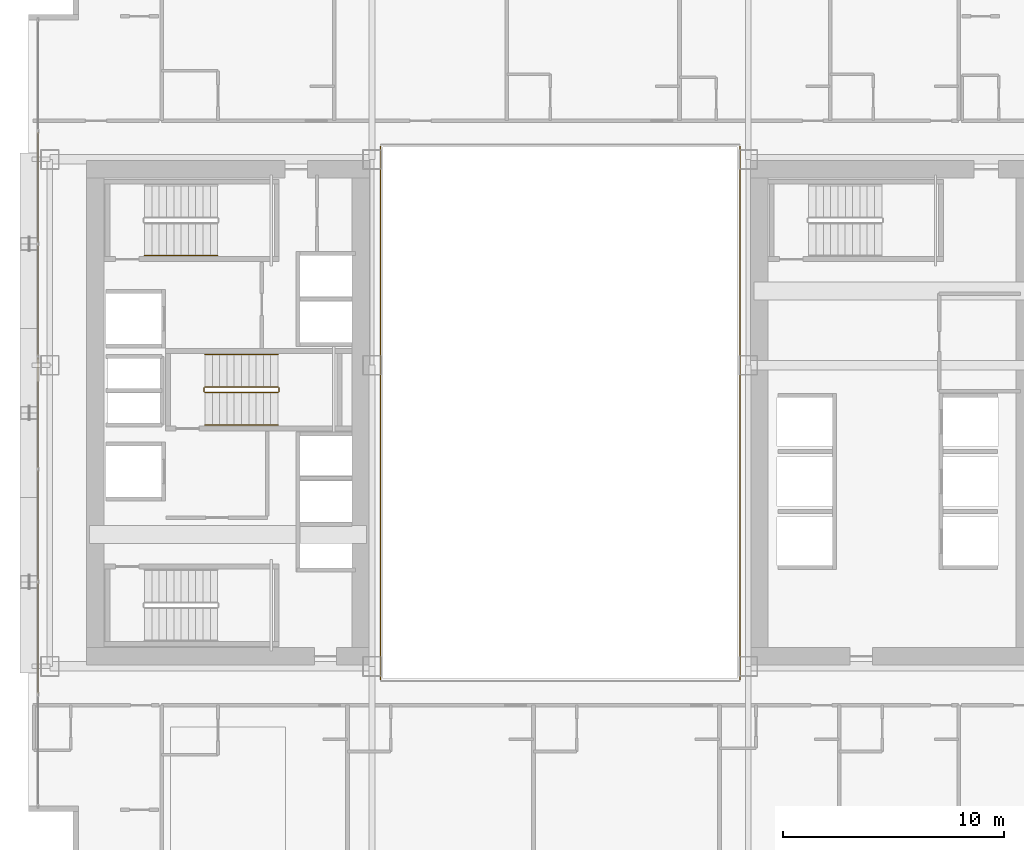
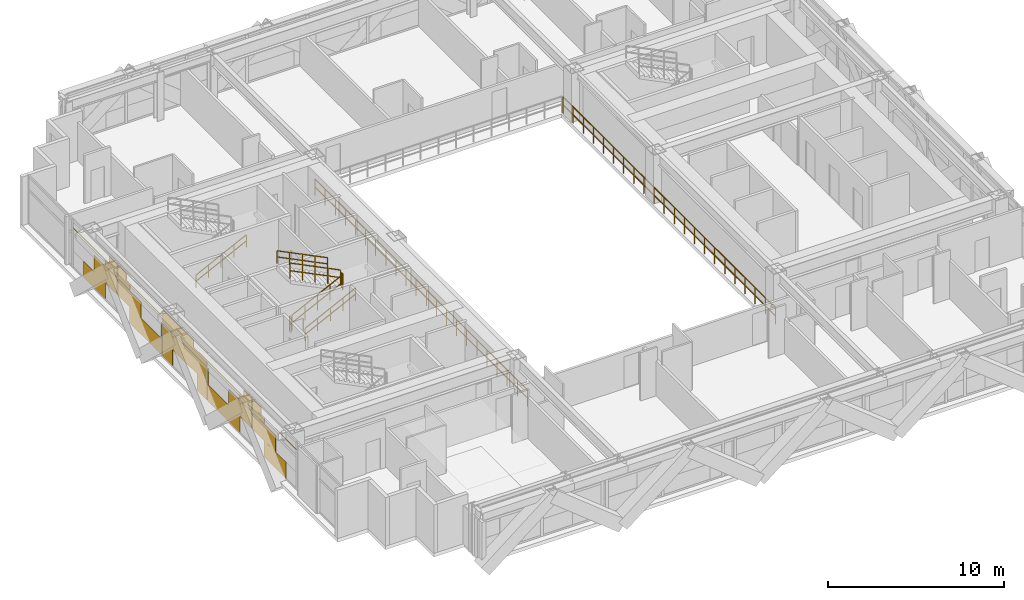
# One storey, part 33 of 35: 9 railings, 1 covering.
"""IFC4 building model written with IfcOpenShell, lengths in metres."""

from ifc_helpers import new_model, si_unit, direction, frame, origin, origin_2d, place, context, subcontext, project, spatial, rectangle, extrude, material, layer, layer_set, type_object, element, save


model = new_model("IFC4")

# Units and contexts
model_context = context("Model", 3, precision=1e-05, world=origin(), true_north=direction((0.0, 1.0)))
body_context = subcontext(model_context, "Body", "Model", "MODEL_VIEW")
ifc_project = project(units=[si_unit("LENGTHUNIT", "METRE"), si_unit("AREAUNIT", "SQUARE_METRE"), si_unit("VOLUMEUNIT", "CUBIC_METRE"), si_unit("PLANEANGLEUNIT", "RADIAN"), si_unit("MASSUNIT", "GRAM", prefix="KILO")], contexts=[model_context])

# Site, building, storey
site_placement = place(None, origin())
site = spatial("IfcSite", under=ifc_project, at=site_placement, CompositionType="ELEMENT")
building_placement = place(site_placement, origin())
building = spatial("IfcBuilding", under=site, at=building_placement, Name="Ocotamira Hotel", CompositionType="ELEMENT")
storey_placement = place(building_placement, frame((0.0, 0.0, 56.39990234375)))
storey = spatial("IfcBuildingStorey", under=building, at=storey_placement, Name="L13", CompositionType="ELEMENT", Elevation=56.39990234375)

# Covering
ifc_material_1 = material(Name="Insulated pale-metal aluminium spandrel panel", Category="aluminium")
ifc_layer = layer(ifc_material_1, 0.044921875)
ifc_layer_set = layer_set([ifc_layer], Name="Insulated pale-metal aluminium spandrel panel")
covering_type = type_object("IfcCoveringType", Name="COV-INFILL-45", PredefinedType="CLADDING", material=ifc_layer_set)
covering_placement = place(storey_placement, origin())
element("IfcCovering", 1, at=covering_placement, inside=storey, type_object=covering_type, Name="L13 Curtain Wall Infill CW-2 CW-L13-W", PredefinedType="CLADDING", context=body_context, shape_type="SweptSolid", body=[
    extrude(rectangle(XDim=2.49658203125, YDim=0.044921875, at=origin_2d()), frame((8.419921875, 15.752685546875, 0.07568359375), z_axis=(0.0, 0.0, 1.0), x_axis=(0.0, 1.0, 0.0)), (0.0, 0.0, 1.0), 1.11767578125),
    extrude(rectangle(XDim=2.640625, YDim=0.044921875, at=origin_2d()), frame((8.419921875, 17.010498046875, 1.1943359375), z_axis=(0.0, 0.0, 1.0), x_axis=(0.0, 1.0, 0.0)), (0.0, 0.0, 1.0), 1.11767578125),
    extrude(rectangle(XDim=5.004638671875, YDim=0.044921875, at=origin_2d()), frame((8.419921875, 15.82861328125, 2.756103515625), z_axis=(0.0, 0.0, 1.0), x_axis=(0.0, 1.0, 0.0)), (0.0, 0.0, 1.0), 0.033203125),
    extrude(rectangle(XDim=1.375, YDim=0.044921875, at=origin_2d()), frame((8.419921875, 17.643310546875, 2.38818359375), z_axis=(0.0, 0.0, 1.0), x_axis=(0.0, 1.0, 0.0)), (0.0, 0.0, 1.0), 0.366943359375),
    extrude(rectangle(XDim=0.948486328125, YDim=0.044921875, at=origin_2d()), frame((8.419921875, 17.856689453125, 2.79052734375), z_axis=(0.0, 0.0, 1.0), x_axis=(0.0, 1.0, 0.0)), (0.0, 0.0, 1.0), 0.484130859375),
    extrude(rectangle(XDim=2.631103515625, YDim=0.044921875, at=origin_2d()), frame((8.419921875, 19.727294921875, 1.1943359375), z_axis=(0.0, 0.0, 1.0), x_axis=(0.0, 1.0, 0.0)), (0.0, 0.0, 1.0), 1.11767578125),
    extrude(rectangle(XDim=3.684326171875, YDim=0.044921875, at=origin_2d()), frame((8.419921875, 21.574462890625, 0.07568359375), z_axis=(0.0, 0.0, 1.0), x_axis=(0.0, 1.0, 0.0)), (0.0, 0.0, 1.0), 1.11767578125),
    extrude(rectangle(XDim=0.093017578125, YDim=0.044921875, at=origin_2d()), frame((8.419921875, 23.3701171875, 1.1943359375), z_axis=(0.0, 0.0, 1.0), x_axis=(0.0, 1.0, 0.0)), (0.0, 0.0, 1.0), 1.11767578125),
    extrude(rectangle(XDim=1.365478515625, YDim=0.044921875, at=origin_2d()), frame((8.419921875, 19.094482421875, 2.38818359375), z_axis=(0.0, 0.0, 1.0), x_axis=(0.0, 1.0, 0.0)), (0.0, 0.0, 1.0), 0.366943359375),
    extrude(rectangle(XDim=5.004638671875, YDim=0.044921875, at=origin_2d()), frame((8.419921875, 20.914306640625, 2.756103515625), z_axis=(0.0, 0.0, 1.0), x_axis=(0.0, 1.0, 0.0)), (0.0, 0.0, 1.0), 0.033203125),
    extrude(rectangle(XDim=0.93896484375, YDim=0.044921875, at=origin_2d()), frame((8.419921875, 18.88134765625, 2.79052734375), z_axis=(0.0, 0.0, 1.0), x_axis=(0.0, 1.0, 0.0)), (0.0, 0.0, 1.0), 0.484130859375),
    extrude(rectangle(XDim=1.13671875, YDim=0.044921875, at=origin_2d()), frame((8.419921875, 24.06591796875, 0.07568359375), z_axis=(0.0, 0.0, 1.0), x_axis=(0.0, 1.0, 0.0)), (0.0, 0.0, 1.0), 1.11767578125),
    extrude(rectangle(XDim=5.004638671875, YDim=0.044921875, at=origin_2d()), frame((8.419921875, 26.0, 1.1943359375), z_axis=(0.0, 0.0, 1.0), x_axis=(0.0, 1.0, 0.0)), (0.0, 0.0, 1.0), 1.11767578125),
    extrude(rectangle(XDim=1.13671875, YDim=0.044921875, at=origin_2d()), frame((8.419921875, 27.93408203125, 0.07568359375), z_axis=(0.0, 0.0, 1.0), x_axis=(0.0, 1.0, 0.0)), (0.0, 0.0, 1.0), 1.11767578125),
    extrude(rectangle(XDim=5.004638671875, YDim=0.044921875, at=origin_2d()), frame((8.419921875, 26.0, 2.387939453125), z_axis=(0.0, 0.0, 1.0), x_axis=(0.0, 1.0, 0.0)), (0.0, 0.0, 1.0), 0.4013671875),
    extrude(rectangle(XDim=3.486572265625, YDim=0.044921875, at=origin_2d()), frame((8.419921875, 26.759033203125, 2.79052734375), z_axis=(0.0, 0.0, 1.0), x_axis=(0.0, 1.0, 0.0)), (0.0, 0.0, 1.0), 0.484130859375),
    extrude(rectangle(XDim=3.684326171875, YDim=0.044921875, at=origin_2d()), frame((8.419921875, 30.425537109375, 0.07568359375), z_axis=(0.0, 0.0, 1.0), x_axis=(0.0, 1.0, 0.0)), (0.0, 0.0, 1.0), 1.11767578125),
    extrude(rectangle(XDim=0.093017578125, YDim=0.044921875, at=origin_2d()), frame((8.419921875, 28.6298828125, 1.1943359375), z_axis=(0.0, 0.0, 1.0), x_axis=(0.0, 1.0, 0.0)), (0.0, 0.0, 1.0), 1.11767578125),
    extrude(rectangle(XDim=2.631103515625, YDim=0.044921875, at=origin_2d()), frame((8.419921875, 32.272705078125, 1.1943359375), z_axis=(0.0, 0.0, 1.0), x_axis=(0.0, 1.0, 0.0)), (0.0, 0.0, 1.0), 1.11767578125),
    extrude(rectangle(XDim=5.004638671875, YDim=0.044921875, at=origin_2d()), frame((8.419921875, 31.085693359375, 2.756103515625), z_axis=(0.0, 0.0, 1.0), x_axis=(0.0, 1.0, 0.0)), (0.0, 0.0, 1.0), 0.033203125),
    extrude(rectangle(XDim=1.365478515625, YDim=0.044921875, at=origin_2d()), frame((8.419921875, 32.905517578125, 2.38818359375), z_axis=(0.0, 0.0, 1.0), x_axis=(0.0, 1.0, 0.0)), (0.0, 0.0, 1.0), 0.366943359375),
    extrude(rectangle(XDim=0.93896484375, YDim=0.044921875, at=origin_2d()), frame((8.419921875, 33.11865234375, 2.79052734375), z_axis=(0.0, 0.0, 1.0), x_axis=(0.0, 1.0, 0.0)), (0.0, 0.0, 1.0), 0.484130859375),
    extrude(rectangle(XDim=2.640625, YDim=0.044921875, at=origin_2d()), frame((8.419921875, 34.989501953125, 1.1943359375), z_axis=(0.0, 0.0, 1.0), x_axis=(0.0, 1.0, 0.0)), (0.0, 0.0, 1.0), 1.11767578125),
    extrude(rectangle(XDim=2.49658203125, YDim=0.044921875, at=origin_2d()), frame((8.419921875, 36.247314453125, 0.07568359375), z_axis=(0.0, 0.0, 1.0), x_axis=(0.0, 1.0, 0.0)), (0.0, 0.0, 1.0), 1.11767578125),
    extrude(rectangle(XDim=1.375, YDim=0.044921875, at=origin_2d()), frame((8.419921875, 34.356689453125, 2.38818359375), z_axis=(0.0, 0.0, 1.0), x_axis=(0.0, 1.0, 0.0)), (0.0, 0.0, 1.0), 0.366943359375),
    extrude(rectangle(XDim=5.004638671875, YDim=0.044921875, at=origin_2d()), frame((8.419921875, 36.17138671875, 2.756103515625), z_axis=(0.0, 0.0, 1.0), x_axis=(0.0, 1.0, 0.0)), (0.0, 0.0, 1.0), 0.033203125),
    extrude(rectangle(XDim=0.948486328125, YDim=0.044921875, at=origin_2d()), frame((8.419921875, 34.143310546875, 2.79052734375), z_axis=(0.0, 0.0, 1.0), x_axis=(0.0, 1.0, 0.0)), (0.0, 0.0, 1.0), 0.484130859375),
])

# Railings
ifc_material_2 = material(Name="Painted steel stair guardrail", Category="steel")
railing_type_1 = type_object("IfcRailingType", Name="RL-EDGE-1150", PredefinedType="GUARDRAIL", material=ifc_material_2)
railing_1_placement = place(storey_placement, frame((40.1201171875, 13.9599609375, 0.0)))
element("IfcRailing", 2, at=railing_1_placement, inside=storey, type_object=railing_type_1, Name="L13 Central Atrium Edge Guardrail E", PredefinedType="GUARDRAIL", context=body_context, shape_type="SweptSolid", body=[
    extrude(rectangle(XDim=0.048095703125, YDim=0.048095703125, at=origin_2d()), frame((0.0, 0.0, 1.1259765625), z_axis=(0.0, 1.0, 0.0), x_axis=(-1.0, 0.0, 0.0)), (0.0, 0.0, 1.0), 24.080078125),
    extrude(rectangle(XDim=0.048095703125, YDim=0.048095703125, at=origin_2d()), frame((0.0, 0.0, 0.574951171875), z_axis=(0.0, 1.0, 0.0), x_axis=(-1.0, 0.0, 0.0)), (0.0, 0.0, 1.0), 24.080078125),
    extrude(rectangle(XDim=0.0419921875, YDim=0.0419921875, at=origin_2d()), origin(), (0.0, 0.0, 1.0), 1.101806640625),
    extrude(rectangle(XDim=0.0419921875, YDim=0.0419921875, at=origin_2d()), frame((0.0, 1.146728515625, 0.0)), (0.0, 0.0, 1.0), 1.101806640625),
    extrude(rectangle(XDim=0.0419921875, YDim=0.0419921875, at=origin_2d()), frame((0.0, 2.29345703125, 0.0)), (0.0, 0.0, 1.0), 1.101806640625),
    extrude(rectangle(XDim=0.0419921875, YDim=0.0419921875, at=origin_2d()), frame((0.0, 3.43994140625, 0.0)), (0.0, 0.0, 1.0), 1.101806640625),
    extrude(rectangle(XDim=0.0419921875, YDim=0.0419921875, at=origin_2d()), frame((0.0, 4.586669921875, 0.0)), (0.0, 0.0, 1.0), 1.101806640625),
    extrude(rectangle(XDim=0.0419921875, YDim=0.0419921875, at=origin_2d()), frame((0.0, 5.7333984375, 0.0)), (0.0, 0.0, 1.0), 1.101806640625),
    extrude(rectangle(XDim=0.0419921875, YDim=0.0419921875, at=origin_2d()), frame((0.0, 6.880126953125, 0.0)), (0.0, 0.0, 1.0), 1.101806640625),
    extrude(rectangle(XDim=0.0419921875, YDim=0.0419921875, at=origin_2d()), frame((0.0, 8.026611328125, 0.0)), (0.0, 0.0, 1.0), 1.101806640625),
    extrude(rectangle(XDim=0.0419921875, YDim=0.0419921875, at=origin_2d()), frame((0.0, 9.17333984375, 0.0)), (0.0, 0.0, 1.0), 1.101806640625),
    extrude(rectangle(XDim=0.0419921875, YDim=0.0419921875, at=origin_2d()), frame((0.0, 10.320068359375, 0.0)), (0.0, 0.0, 1.0), 1.101806640625),
    extrude(rectangle(XDim=0.0419921875, YDim=0.0419921875, at=origin_2d()), frame((0.0, 11.466796875, 0.0)), (0.0, 0.0, 1.0), 1.101806640625),
    extrude(rectangle(XDim=0.0419921875, YDim=0.0419921875, at=origin_2d()), frame((0.0, 12.61328125, 0.0)), (0.0, 0.0, 1.0), 1.101806640625),
    extrude(rectangle(XDim=0.0419921875, YDim=0.0419921875, at=origin_2d()), frame((0.0, 13.760009765625, 0.0)), (0.0, 0.0, 1.0), 1.101806640625),
    extrude(rectangle(XDim=0.0419921875, YDim=0.0419921875, at=origin_2d()), frame((0.0, 14.90673828125, 0.0)), (0.0, 0.0, 1.0), 1.101806640625),
    extrude(rectangle(XDim=0.0419921875, YDim=0.0419921875, at=origin_2d()), frame((0.0, 16.053466796875, 0.0)), (0.0, 0.0, 1.0), 1.101806640625),
    extrude(rectangle(XDim=0.0419921875, YDim=0.0419921875, at=origin_2d()), frame((0.0, 17.199951171875, 0.0)), (0.0, 0.0, 1.0), 1.101806640625),
    extrude(rectangle(XDim=0.0419921875, YDim=0.0419921875, at=origin_2d()), frame((0.0, 18.3466796875, 0.0)), (0.0, 0.0, 1.0), 1.101806640625),
    extrude(rectangle(XDim=0.0419921875, YDim=0.0419921875, at=origin_2d()), frame((0.0, 19.493408203125, 0.0)), (0.0, 0.0, 1.0), 1.101806640625),
    extrude(rectangle(XDim=0.0419921875, YDim=0.0419921875, at=origin_2d()), frame((0.0, 20.64013671875, 0.0)), (0.0, 0.0, 1.0), 1.101806640625),
    extrude(rectangle(XDim=0.0419921875, YDim=0.0419921875, at=origin_2d()), frame((0.0, 21.78662109375, 0.0)), (0.0, 0.0, 1.0), 1.101806640625),
    extrude(rectangle(XDim=0.0419921875, YDim=0.0419921875, at=origin_2d()), frame((0.0, 22.933349609375, 0.0)), (0.0, 0.0, 1.0), 1.101806640625),
    extrude(rectangle(XDim=0.0419921875, YDim=0.0419921875, at=origin_2d()), frame((0.0, 24.080078125, 0.0)), (0.0, 0.0, 1.0), 1.101806640625),
])
railing_2_placement = place(storey_placement, frame((23.8798828125, 38.0400390625, 0.0)))
element("IfcRailing", 3, at=railing_2_placement, inside=storey, type_object=railing_type_1, Name="L13 Central Atrium Edge Guardrail W", PredefinedType="GUARDRAIL", context=body_context, shape_type="SweptSolid", body=[
    extrude(rectangle(XDim=0.048095703125, YDim=0.048095703125, at=origin_2d()), frame((0.0, 0.0, 1.1259765625), z_axis=(0.0, -1.0, 0.0), x_axis=(1.0, 0.0, 0.0)), (0.0, 0.0, 1.0), 24.080078125),
    extrude(rectangle(XDim=0.048095703125, YDim=0.048095703125, at=origin_2d()), frame((0.0, 0.0, 0.574951171875), z_axis=(0.0, -1.0, 0.0), x_axis=(1.0, 0.0, 0.0)), (0.0, 0.0, 1.0), 24.080078125),
    extrude(rectangle(XDim=0.0419921875, YDim=0.0419921875, at=origin_2d()), origin(), (0.0, 0.0, 1.0), 1.101806640625),
    extrude(rectangle(XDim=0.0419921875, YDim=0.0419921875, at=origin_2d()), frame((0.0, -1.146728515625, 0.0)), (0.0, 0.0, 1.0), 1.101806640625),
    extrude(rectangle(XDim=0.0419921875, YDim=0.0419921875, at=origin_2d()), frame((0.0, -2.29345703125, 0.0)), (0.0, 0.0, 1.0), 1.101806640625),
    extrude(rectangle(XDim=0.0419921875, YDim=0.0419921875, at=origin_2d()), frame((0.0, -3.43994140625, 0.0)), (0.0, 0.0, 1.0), 1.101806640625),
    extrude(rectangle(XDim=0.0419921875, YDim=0.0419921875, at=origin_2d()), frame((0.0, -4.586669921875, 0.0)), (0.0, 0.0, 1.0), 1.101806640625),
    extrude(rectangle(XDim=0.0419921875, YDim=0.0419921875, at=origin_2d()), frame((0.0, -5.7333984375, 0.0)), (0.0, 0.0, 1.0), 1.101806640625),
    extrude(rectangle(XDim=0.0419921875, YDim=0.0419921875, at=origin_2d()), frame((0.0, -6.880126953125, 0.0)), (0.0, 0.0, 1.0), 1.101806640625),
    extrude(rectangle(XDim=0.0419921875, YDim=0.0419921875, at=origin_2d()), frame((0.0, -8.026611328125, 0.0)), (0.0, 0.0, 1.0), 1.101806640625),
    extrude(rectangle(XDim=0.0419921875, YDim=0.0419921875, at=origin_2d()), frame((0.0, -9.17333984375, 0.0)), (0.0, 0.0, 1.0), 1.101806640625),
    extrude(rectangle(XDim=0.0419921875, YDim=0.0419921875, at=origin_2d()), frame((0.0, -10.320068359375, 0.0)), (0.0, 0.0, 1.0), 1.101806640625),
    extrude(rectangle(XDim=0.0419921875, YDim=0.0419921875, at=origin_2d()), frame((0.0, -11.466796875, 0.0)), (0.0, 0.0, 1.0), 1.101806640625),
    extrude(rectangle(XDim=0.0419921875, YDim=0.0419921875, at=origin_2d()), frame((0.0, -12.61328125, 0.0)), (0.0, 0.0, 1.0), 1.101806640625),
    extrude(rectangle(XDim=0.0419921875, YDim=0.0419921875, at=origin_2d()), frame((0.0, -13.760009765625, 0.0)), (0.0, 0.0, 1.0), 1.101806640625),
    extrude(rectangle(XDim=0.0419921875, YDim=0.0419921875, at=origin_2d()), frame((0.0, -14.90673828125, 0.0)), (0.0, 0.0, 1.0), 1.101806640625),
    extrude(rectangle(XDim=0.0419921875, YDim=0.0419921875, at=origin_2d()), frame((0.0, -16.053466796875, 0.0)), (0.0, 0.0, 1.0), 1.101806640625),
    extrude(rectangle(XDim=0.0419921875, YDim=0.0419921875, at=origin_2d()), frame((0.0, -17.199951171875, 0.0)), (0.0, 0.0, 1.0), 1.101806640625),
    extrude(rectangle(XDim=0.0419921875, YDim=0.0419921875, at=origin_2d()), frame((0.0, -18.3466796875, 0.0)), (0.0, 0.0, 1.0), 1.101806640625),
    extrude(rectangle(XDim=0.0419921875, YDim=0.0419921875, at=origin_2d()), frame((0.0, -19.493408203125, 0.0)), (0.0, 0.0, 1.0), 1.101806640625),
    extrude(rectangle(XDim=0.0419921875, YDim=0.0419921875, at=origin_2d()), frame((0.0, -20.64013671875, 0.0)), (0.0, 0.0, 1.0), 1.101806640625),
    extrude(rectangle(XDim=0.0419921875, YDim=0.0419921875, at=origin_2d()), frame((0.0, -21.78662109375, 0.0)), (0.0, 0.0, 1.0), 1.101806640625),
    extrude(rectangle(XDim=0.0419921875, YDim=0.0419921875, at=origin_2d()), frame((0.0, -22.933349609375, 0.0)), (0.0, 0.0, 1.0), 1.101806640625),
    extrude(rectangle(XDim=0.0419921875, YDim=0.0419921875, at=origin_2d()), frame((0.0, -24.080078125, 0.0)), (0.0, 0.0, 1.0), 1.101806640625),
])
ifc_material_3 = material(Name="Brushed stainless steel handrail", Category="steel")
railing_type_2 = type_object("IfcRailingType", Name="RL-HAND-900", PredefinedType="HANDRAIL", material=ifc_material_3)
for number, where, name in (
    (4, (13.22998046875, 33.10009765625, 0.327392578125), "L13 ST-2 stair handrail 1"),
    (5, (15.9599609375, 25.449951171875, 0.327392578125), "L13 ST-3 stair handrail 1"),
):
    element("IfcRailing", number, at=place(storey_placement, frame(where)), inside=storey, type_object=railing_type_2, Name=name, PredefinedType="HANDRAIL", context=body_context, shape_type="SweptSolid", body=[
        extrude(rectangle(XDim=0.048095703125, YDim=0.048095703125, at=origin_2d()), frame((0.0, 0.0, 0.8759765625), z_axis=(0.895920123917, 0.0, 0.444215186098), x_axis=(0.0, 1.0, 0.0)), (0.0, 0.0, 1.0), 3.683349609375),
        extrude(rectangle(XDim=0.048095703125, YDim=0.048095703125, at=origin_2d()), frame((0.0, 0.0, 0.449951171875), z_axis=(0.895920123917, 0.0, 0.444215186098), x_axis=(0.0, 1.0, 0.0)), (0.0, 0.0, 1.0), 3.683349609375),
        extrude(rectangle(XDim=0.0419921875, YDim=0.0419921875, at=origin_2d()), origin(), (0.0, 0.0, 1.0), 0.851806640625),
        extrude(rectangle(XDim=0.0419921875, YDim=0.0419921875, at=origin_2d()), frame((0.824951171875, 0.0, 0.4091796875)), (0.0, 0.0, 1.0), 0.851806640625),
        extrude(rectangle(XDim=0.0419921875, YDim=0.0419921875, at=origin_2d()), frame((1.64990234375, 0.0, 0.818115234375)), (0.0, 0.0, 1.0), 0.851806640625),
        extrude(rectangle(XDim=0.0419921875, YDim=0.0419921875, at=origin_2d()), frame((2.47509765625, 0.0, 1.22705078125)), (0.0, 0.0, 1.0), 0.851806640625),
        extrude(rectangle(XDim=0.0419921875, YDim=0.0419921875, at=origin_2d()), frame((3.300048828125, 0.0, 1.63623046875)), (0.0, 0.0, 1.0), 0.851806640625),
    ])
railing_3_placement = place(storey_placement, frame((19.260009765625, 28.6298828125, 2.12744140625)))
element("IfcRailing", 6, at=railing_3_placement, inside=storey, type_object=railing_type_2, Name="L13 ST-3 stair handrail 2", PredefinedType="HANDRAIL", context=body_context, shape_type="SweptSolid", body=[
    extrude(rectangle(XDim=0.048095703125, YDim=0.048095703125, at=origin_2d()), frame((0.0, 0.0, 0.8759765625), z_axis=(-0.895920123917, 0.0, 0.444215186098), x_axis=(0.0, -1.0, 0.0)), (0.0, 0.0, 1.0), 3.683349609375),
    extrude(rectangle(XDim=0.048095703125, YDim=0.048095703125, at=origin_2d()), frame((0.0, 0.0, 0.449951171875), z_axis=(-0.895920123917, 0.0, 0.444215186098), x_axis=(0.0, -1.0, 0.0)), (0.0, 0.0, 1.0), 3.683349609375),
    extrude(rectangle(XDim=0.0419921875, YDim=0.0419921875, at=origin_2d()), origin(), (0.0, 0.0, 1.0), 0.851806640625),
    extrude(rectangle(XDim=0.0419921875, YDim=0.0419921875, at=origin_2d()), frame((-0.824951171875, 0.0, 0.4091796875)), (0.0, 0.0, 1.0), 0.851806640625),
    extrude(rectangle(XDim=0.0419921875, YDim=0.0419921875, at=origin_2d()), frame((-1.64990234375, 0.0, 0.818115234375)), (0.0, 0.0, 1.0), 0.851806640625),
    extrude(rectangle(XDim=0.0419921875, YDim=0.0419921875, at=origin_2d()), frame((-2.47509765625, 0.0, 1.22705078125)), (0.0, 0.0, 1.0), 0.851806640625),
    extrude(rectangle(XDim=0.0419921875, YDim=0.0419921875, at=origin_2d()), frame((-3.300048828125, 0.0, 1.63623046875)), (0.0, 0.0, 1.0), 0.851806640625),
])
railing_type_3 = type_object("IfcRailingType", Name="RL-STAIR-1100", PredefinedType="GUARDRAIL", material=ifc_material_2)
railing_4_placement = place(storey_placement, frame((15.9599609375, 26.909912109375, 0.163818359375)))
element("IfcRailing", 7, at=railing_4_placement, inside=storey, type_object=railing_type_3, Name="L13 ST-3 stair guard 1", PredefinedType="GUARDRAIL", context=body_context, shape_type="SweptSolid", body=[
    extrude(rectangle(XDim=0.048095703125, YDim=0.048095703125, at=origin_2d()), frame((0.0, 0.0, 1.076171875), z_axis=(0.895920123917, 0.0, 0.444215186098), x_axis=(0.0, 1.0, 0.0)), (0.0, 0.0, 1.0), 3.683349609375),
    extrude(rectangle(XDim=0.048095703125, YDim=0.048095703125, at=origin_2d()), frame((0.0, 0.0, 0.550048828125), z_axis=(0.895920123917, 0.0, 0.444215186098), x_axis=(0.0, 1.0, 0.0)), (0.0, 0.0, 1.0), 3.683349609375),
    extrude(rectangle(XDim=0.0419921875, YDim=0.0419921875, at=origin_2d()), origin(), (0.0, 0.0, 1.0), 1.052001953125),
    extrude(rectangle(XDim=0.0419921875, YDim=0.0419921875, at=origin_2d()), frame((0.824951171875, 0.0, 0.4091796875)), (0.0, 0.0, 1.0), 1.052001953125),
    extrude(rectangle(XDim=0.0419921875, YDim=0.0419921875, at=origin_2d()), frame((1.64990234375, 0.0, 0.818115234375)), (0.0, 0.0, 1.0), 1.052001953125),
    extrude(rectangle(XDim=0.0419921875, YDim=0.0419921875, at=origin_2d()), frame((2.47509765625, 0.0, 1.22705078125)), (0.0, 0.0, 1.0), 1.052001953125),
    extrude(rectangle(XDim=0.0419921875, YDim=0.0419921875, at=origin_2d()), frame((3.300048828125, 0.0, 1.63623046875)), (0.0, 0.0, 1.0), 1.052001953125),
])
railing_5_placement = place(storey_placement, frame((19.31005859375, 26.9599609375, 1.800048828125)))
element("IfcRailing", 8, at=railing_5_placement, inside=storey, type_object=railing_type_3, Name="L13 ST-3 stair guard 2", PredefinedType="GUARDRAIL", context=body_context, shape_type="SweptSolid", body=[
    extrude(rectangle(XDim=0.048095703125, YDim=0.048095703125, at=origin_2d()), frame((0.0, 0.0, 1.076171875), z_axis=(0.0, 1.0, 0.0), x_axis=(-1.0, 0.0, 0.0)), (0.0, 0.0, 1.0), 0.16015625),
    extrude(rectangle(XDim=0.048095703125, YDim=0.048095703125, at=origin_2d()), frame((0.0, 0.0, 0.550048828125), z_axis=(0.0, 1.0, 0.0), x_axis=(-1.0, 0.0, 0.0)), (0.0, 0.0, 1.0), 0.16015625),
    extrude(rectangle(XDim=0.0419921875, YDim=0.0419921875, at=origin_2d()), origin(), (0.0, 0.0, 1.0), 1.052001953125),
    extrude(rectangle(XDim=0.0419921875, YDim=0.0419921875, at=origin_2d()), frame((0.0, 0.16015625, 0.0)), (0.0, 0.0, 1.0), 1.052001953125),
])
railing_6_placement = place(storey_placement, frame((19.260009765625, 27.169921875, 1.963623046875)))
element("IfcRailing", 9, at=railing_6_placement, inside=storey, type_object=railing_type_3, Name="L13 ST-3 stair guard 3", PredefinedType="GUARDRAIL", context=body_context, shape_type="SweptSolid", body=[
    extrude(rectangle(XDim=0.048095703125, YDim=0.048095703125, at=origin_2d()), frame((0.0, 0.0, 1.076171875), z_axis=(-0.895893744519, 0.0, 0.4442683857), x_axis=(0.0, -1.0, 0.0)), (0.0, 0.0, 1.0), 3.68359375),
    extrude(rectangle(XDim=0.048095703125, YDim=0.048095703125, at=origin_2d()), frame((0.0, 0.0, 0.550048828125), z_axis=(-0.895893744519, 0.0, 0.4442683857), x_axis=(0.0, -1.0, 0.0)), (0.0, 0.0, 1.0), 3.68359375),
    extrude(rectangle(XDim=0.0419921875, YDim=0.0419921875, at=origin_2d()), origin(), (0.0, 0.0, 1.0), 1.052001953125),
    extrude(rectangle(XDim=0.0419921875, YDim=0.0419921875, at=origin_2d()), frame((-0.824951171875, 0.0, 0.4091796875)), (0.0, 0.0, 1.0), 1.052001953125),
    extrude(rectangle(XDim=0.0419921875, YDim=0.0419921875, at=origin_2d()), frame((-1.64990234375, 0.0, 0.818359375)), (0.0, 0.0, 1.0), 1.052001953125),
    extrude(rectangle(XDim=0.0419921875, YDim=0.0419921875, at=origin_2d()), frame((-2.47509765625, 0.0, 1.227294921875)), (0.0, 0.0, 1.0), 1.052001953125),
    extrude(rectangle(XDim=0.0419921875, YDim=0.0419921875, at=origin_2d()), frame((-3.300048828125, 0.0, 1.636474609375)), (0.0, 0.0, 1.0), 1.052001953125),
])
railing_7_placement = place(storey_placement, frame((15.909912109375, 26.9599609375, 0.0)))
element("IfcRailing", 10, at=railing_7_placement, inside=storey, type_object=railing_type_3, Name="L13 ST-3 stair guard 4", PredefinedType="GUARDRAIL", context=body_context, shape_type="SweptSolid", body=[
    extrude(rectangle(XDim=0.048095703125, YDim=0.048095703125, at=origin_2d()), frame((0.0, 0.0, 1.076171875), z_axis=(0.0, 1.0, 0.0), x_axis=(-1.0, 0.0, 0.0)), (0.0, 0.0, 1.0), 0.16015625),
    extrude(rectangle(XDim=0.048095703125, YDim=0.048095703125, at=origin_2d()), frame((0.0, 0.0, 0.550048828125), z_axis=(0.0, 1.0, 0.0), x_axis=(-1.0, 0.0, 0.0)), (0.0, 0.0, 1.0), 0.16015625),
    extrude(rectangle(XDim=0.0419921875, YDim=0.0419921875, at=origin_2d()), origin(), (0.0, 0.0, 1.0), 1.052001953125),
    extrude(rectangle(XDim=0.0419921875, YDim=0.0419921875, at=origin_2d()), frame((0.0, 0.16015625, 0.0)), (0.0, 0.0, 1.0), 1.052001953125),
])

save(model, "model.ifc")
